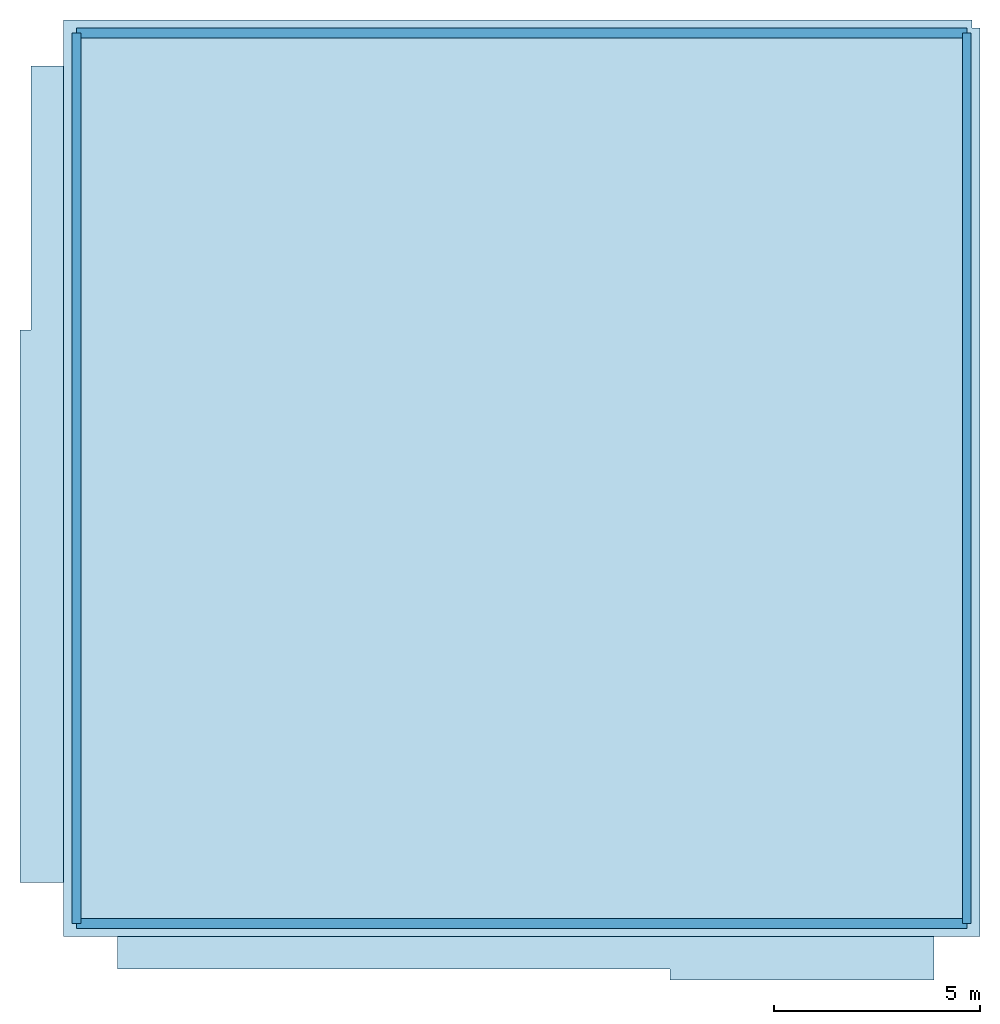
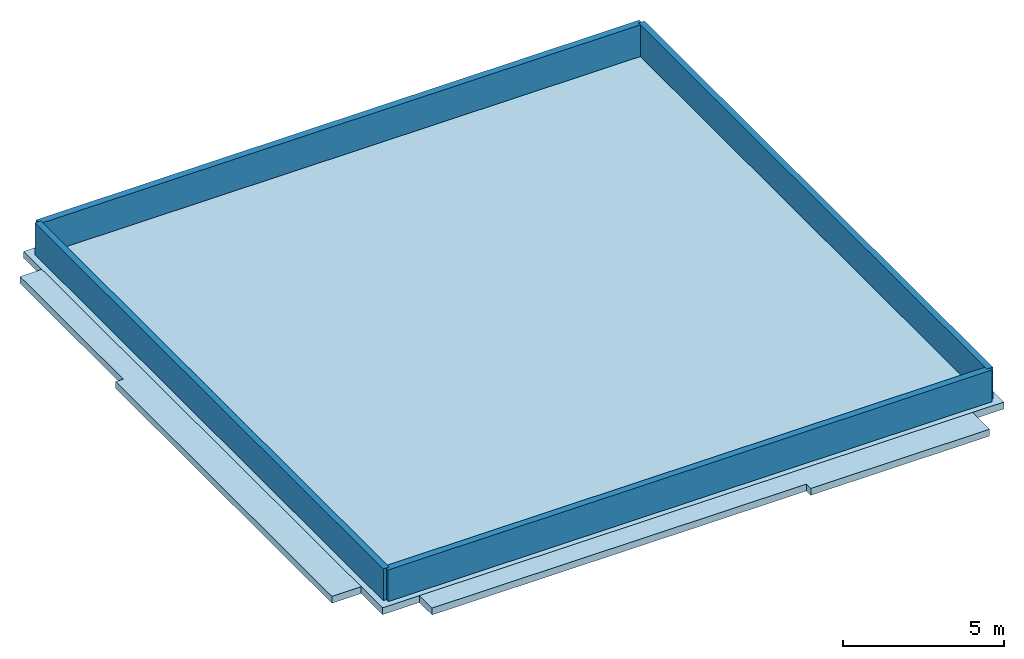
# One storey: 4 walls, 3 slabs.
"""IFC4 building model written with IfcOpenShell, lengths in metres."""

from ifc_helpers import new_model, si_unit, direction, frame, frame_2d, origin, place, context, subcontext, project, spatial, polyline, rectangle, outline, extrude, material, layer, layer_set, type_object, element, save


model = new_model("IFC4")

# Units and contexts
model_context = context("Model", 3, precision=1e-05, world=origin(), true_north=direction((0.0, 1.0)))
body_context = subcontext(model_context, "Body", "Model", "MODEL_VIEW")
ifc_project = project(units=[si_unit("LENGTHUNIT", "METRE"), si_unit("AREAUNIT", "SQUARE_METRE"), si_unit("VOLUMEUNIT", "CUBIC_METRE"), si_unit("PLANEANGLEUNIT", "RADIAN"), si_unit("MASSUNIT", "GRAM", prefix="KILO")], contexts=[model_context])

# Site, building, storey
site_placement = place(None, origin())
site = spatial("IfcSite", under=ifc_project, at=site_placement, CompositionType="ELEMENT")
building_placement = place(site_placement, origin())
building = spatial("IfcBuilding", under=site, at=building_placement, Name="Kandorven Conservatory and Botanical Research Centre", CompositionType="ELEMENT")
storey_placement = place(building_placement, frame((0.0, 0.0, 66.89990234375)))
storey = spatial("IfcBuildingStorey", under=building, at=storey_placement, Name="RF", CompositionType="ELEMENT", Elevation=66.89990234375)

# Slabs
ifc_material_1 = material(Name="Concrete C32/40 (M40)", Category="concrete")
ifc_layer_1 = layer(ifc_material_1, 0.260009765625)
ifc_layer_set_1 = layer_set([ifc_layer_1], Name="Concrete C32/40 (M40)")
slab_type = type_object("IfcSlabType", Name="Slab_RS-02", PredefinedType="ROOF", material=ifc_layer_set_1)
slab_1_placement = place(storey_placement, frame((0.0, 0.0, -0.260009765625)))
element("IfcSlab", 1, at=slab_1_placement, inside=storey, type_object=slab_type, Name="Tower parasol roof slab RF", PredefinedType="ROOF", context=body_context, shape_type="SweptSolid", body=[
    extrude(outline(polyline([(5.679931640625, 5.679931640625), (27.919921875, 5.679931640625), (27.919921875, 27.719970703125), (27.719970703125, 27.719970703125), (27.719970703125, 27.919921875), (5.679931640625, 27.919921875), (5.679931640625, 5.679931640625)])), origin(), (0.0, 0.0, 1.0), 0.260009765625),
])
slab_2_placement = place(storey_placement, frame((0.0, 0.0, -0.260009765625)))
element("IfcSlab", 2, at=slab_2_placement, inside=storey, type_object=slab_type, Name="Tower south sculpted concrete solar-hood slab RF", PredefinedType="ROOF", context=body_context, shape_type="SweptSolid", body=[
    extrude(outline(polyline([(7.0, 5.679931640625), (26.800048828125, 5.679931640625), (26.800048828125, 4.6298828125), (20.39990234375, 4.6298828125), (20.39990234375, 4.89990234375), (7.0, 4.89990234375), (7.0, 5.679931640625)])), origin(), (0.0, 0.0, 1.0), 0.260009765625),
])
slab_3_placement = place(storey_placement, frame((0.0, 0.0, -0.260009765625)))
element("IfcSlab", 3, at=slab_3_placement, inside=storey, type_object=slab_type, Name="Tower west sculpted concrete solar-hood slab RF", PredefinedType="ROOF", context=body_context, shape_type="SweptSolid", body=[
    extrude(outline(polyline([(4.6298828125, 7.0), (5.679931640625, 7.0), (5.679931640625, 26.800048828125), (4.89990234375, 26.800048828125), (4.89990234375, 20.39990234375), (4.6298828125, 20.39990234375), (4.6298828125, 7.0)])), origin(), (0.0, 0.0, 1.0), 0.260009765625),
])

# Walls
ifc_material_2 = material(Name="Concrete C32/40 (M40)", Category="concrete")
ifc_layer_2 = layer(ifc_material_2, 0.239990234375)
ifc_layer_set_2 = layer_set([ifc_layer_2], Name="Concrete C32/40 (M40)")
wall_type_1 = type_object("IfcWallType", Name="Wall_PW-01", PredefinedType="PARAPET", material=ifc_layer_set_2)
for number, where, z_axis, x_axis, name in (
    (4, (6.0, 6.0, 0.0), (0.0, 0.0, 1.0), (1.0, 0.0, 0.0), "Tower roof parapet wall PW-01 S"),
    (5, (27.60009765625, 27.60009765625, 0.0), (0.0, 0.0, 1.0), (-1.0, 0.0, 0.0), "Tower roof parapet wall PW-01 N"),
):
    element("IfcWall", number, at=place(storey_placement, frame(where, z_axis=z_axis, x_axis=x_axis)), inside=storey, type_object=wall_type_1, Name=name, PredefinedType="PARAPET", context=body_context, shape_type="SweptSolid", body=[
        extrude(rectangle(XDim=21.60009765625, YDim=0.239990234375, at=frame_2d((10.800048828125, 0.0))), origin(), (0.0, 0.0, 1.0), 1.2001953125),
    ])
ifc_material_3 = material(Name="Concrete C32/40 (M40)", Category="concrete")
ifc_layer_3 = layer(ifc_material_3, 0.215087890625)
ifc_layer_set_3 = layer_set([ifc_layer_3], Name="Concrete C32/40 (M40)")
wall_type_2 = type_object("IfcWallType", Name="Wall_PW-02", PredefinedType="PARAPET", material=ifc_layer_set_3)
for number, where, z_axis, x_axis, name in (
    (6, (27.60009765625, 6.0, 0.0), (0.0, 0.0, 1.0), (0.0, 1.0, 0.0), "Tower roof parapet wall PW-02 E"),
    (7, (6.0, 27.60009765625, 0.0), (0.0, 0.0, 1.0), (0.0, -1.0, 0.0), "Tower roof parapet wall PW-02 W"),
):
    element("IfcWall", number, at=place(storey_placement, frame(where, z_axis=z_axis, x_axis=x_axis)), inside=storey, type_object=wall_type_2, Name=name, PredefinedType="PARAPET", context=body_context, shape_type="SweptSolid", body=[
        extrude(rectangle(XDim=21.60009765625, YDim=0.215087890625, at=frame_2d((10.800048828125, 0.0))), origin(), (0.0, 0.0, 1.0), 1.2001953125),
    ])

save(model, "model.ifc")
